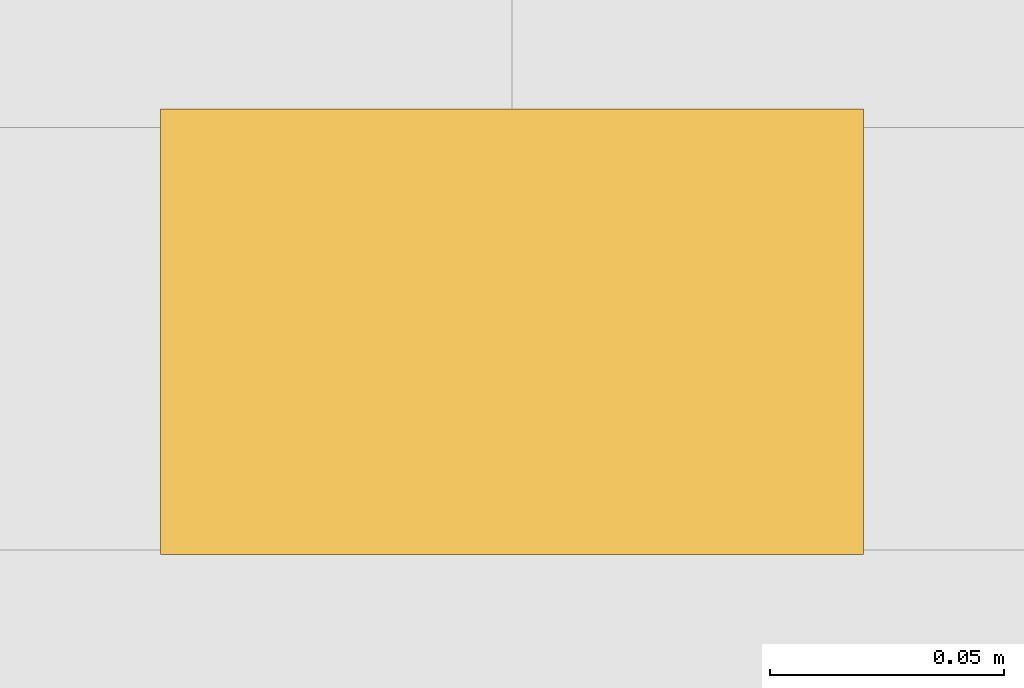
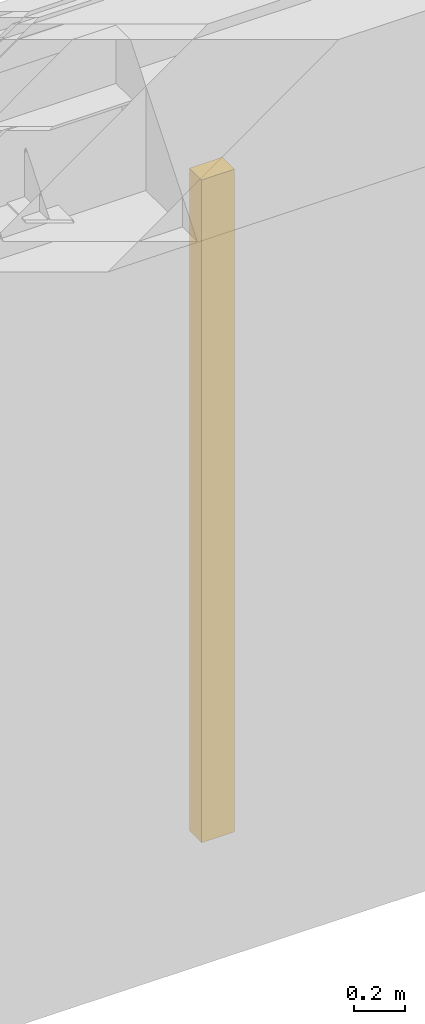
# One storey, part 106 of 127: 1 covering.
"""IFC4 building model written with IfcOpenShell, lengths in metres."""

from ifc_helpers import new_model, si_unit, direction, frame, origin, place, context, subcontext, project, spatial, polyline, outline, extrude, material, type_object, element, save


model = new_model("IFC4")

# Units and contexts
model_context = context("Model", 3, precision=1e-05, world=origin(), true_north=direction((0.0, 1.0)))
body_context = subcontext(model_context, "Body", "Model", "MODEL_VIEW")
ifc_project = project(units=[si_unit("LENGTHUNIT", "METRE"), si_unit("AREAUNIT", "SQUARE_METRE"), si_unit("VOLUMEUNIT", "CUBIC_METRE"), si_unit("PLANEANGLEUNIT", "RADIAN"), si_unit("MASSUNIT", "GRAM", prefix="KILO")], contexts=[model_context])

# Site, building, storey
site_placement = place(None, origin())
site = spatial("IfcSite", under=ifc_project, at=site_placement, CompositionType="ELEMENT")
building_placement = place(site_placement, origin())
building = spatial("IfcBuilding", under=site, at=building_placement, Name="Cumevento Cable Car Station", CompositionType="ELEMENT")
storey_placement = place(building_placement, frame((0.0, 0.0, 4.5)))
storey = spatial("IfcBuildingStorey", under=building, at=storey_placement, Name="L02", CompositionType="ELEMENT", Elevation=4.5)

# Covering
ifc_material = material(Name="Gnaisse Facoidal Stone Ashlar 85 MPa", Category="masonry")
covering_type = type_object("IfcCoveringType", Name="Gnaisse Ashlar Cladding CV-CL01", PredefinedType="CLADDING", material=ifc_material)
covering_placement = place(storey_placement, frame((64.5048828125, 66.0, 0.300048828125), z_axis=(0.0, 0.0, 1.0), x_axis=(1.0, 0.0, 0.0)))
element("IfcCovering", 1, at=covering_placement, inside=storey, type_object=covering_type, Name="Gothic Bifora Stone Colonnette blind_ogival:0068 #1", PredefinedType="CLADDING", context=body_context, shape_type="SweptSolid", body=[
    extrude(outline(polyline([(2.445068359375, -0.02001953125), (2.594970703125, -0.02001953125), (2.594970703125, 3.156005859375), (2.445068359375, 3.156005859375), (2.445068359375, -0.02001953125)])), frame((0.0, 0.280517578125, 0.0), z_axis=(0.0, -1.0, 0.0), x_axis=(1.0, 0.0, 0.0)), (0.0, 0.0, 1.0), 0.094970703125),
])

save(model, "model.ifc")
